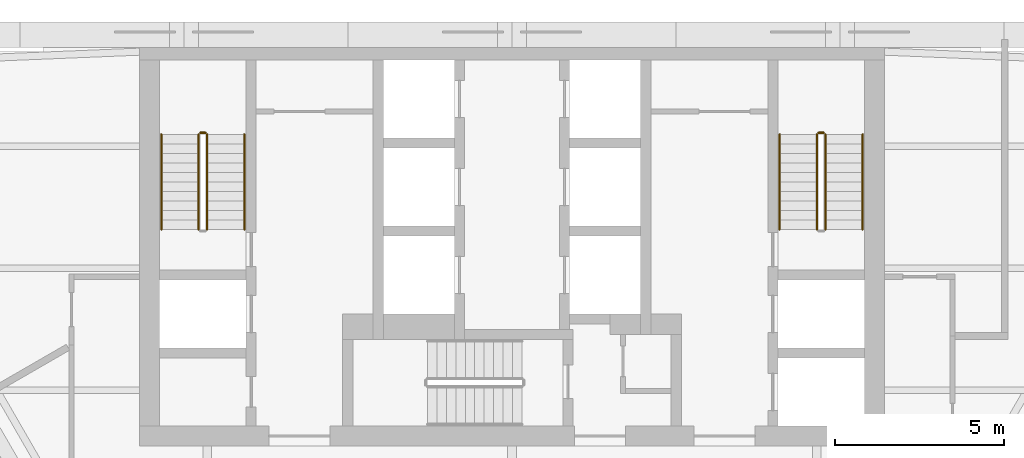
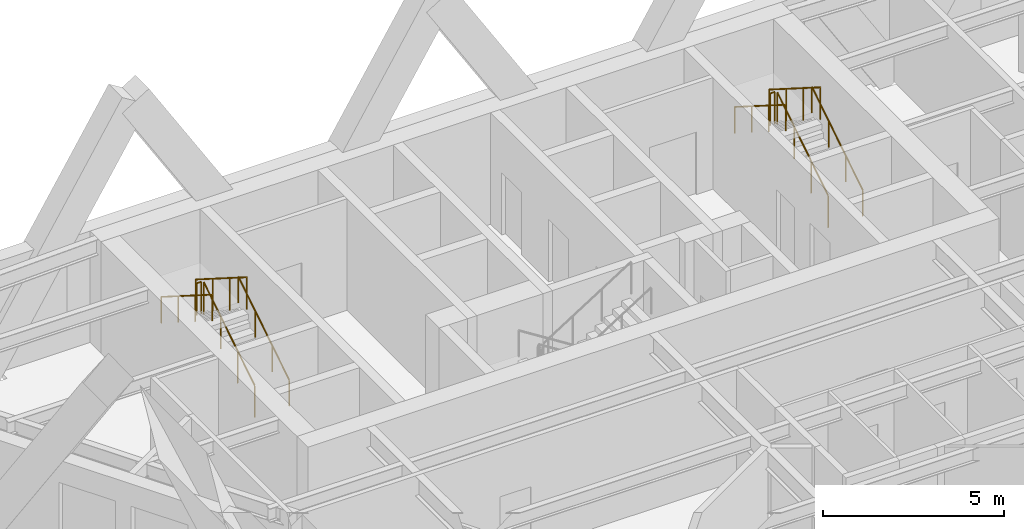
# One storey, part 9 of 9: 10 railings.
"""IFC4 building model written with IfcOpenShell, lengths in metres."""

from ifc_helpers import new_model, si_unit, direction, frame, origin, origin_2d, place, context, subcontext, project, spatial, circle, extrude, material, type_object, element, save


model = new_model("IFC4")

# Units and contexts
model_context = context("Model", 3, precision=1e-05, world=origin(), true_north=direction((0.0, 1.0)))
body_context = subcontext(model_context, "Body", "Model", "MODEL_VIEW")
ifc_project = project(units=[si_unit("LENGTHUNIT", "METRE"), si_unit("AREAUNIT", "SQUARE_METRE"), si_unit("VOLUMEUNIT", "CUBIC_METRE"), si_unit("PLANEANGLEUNIT", "RADIAN"), si_unit("MASSUNIT", "GRAM", prefix="KILO")], contexts=[model_context])

# Site, building, storey
site_placement = place(None, origin())
site = spatial("IfcSite", under=ifc_project, at=site_placement, CompositionType="ELEMENT")
building_placement = place(site_placement, origin())
building = spatial("IfcBuilding", under=site, at=building_placement, Name="Aloe Facet Convention Tower", CompositionType="ELEMENT")
storey_placement = place(building_placement, frame((0.0, 0.0, 203.60009765625)))
storey = spatial("IfcBuildingStorey", under=building, at=storey_placement, Name="L51", CompositionType="ELEMENT", Elevation=203.60009765625)

# Railings
ifc_material_1 = material(Name="Steel S355 balustrade", Category="steel")
railing_type_1 = type_object("IfcRailingType", Name="CR-RL-GUARD", PredefinedType="GUARDRAIL", material=ifc_material_1)
railing_1_placement = place(storey_placement, frame((71.0, 128.949951171875, 0.17724609375)))
element("IfcRailing", 1, at=railing_1_placement, inside=storey, type_object=railing_type_1, Name="L51 ST1 stair guard 1", PredefinedType="GUARDRAIL", context=body_context, shape_type="SweptSolid", body=[
    extrude(circle(Radius=0.02392578125, at=origin_2d()), frame((0.0, 0.0, 1.076171875), z_axis=(0.0, 0.844908973607, 0.534910110503), x_axis=(-1.0, 0.0, 0.0)), (0.0, 0.0, 1.0), 3.31396484375),
    extrude(circle(Radius=0.02099609375, at=origin_2d()), origin(), (0.0, 0.0, 1.0), 1.052001953125),
    extrude(circle(Radius=0.02099609375, at=origin_2d()), frame((0.0, 0.933349609375, 0.5908203125)), (0.0, 0.0, 1.0), 1.052001953125),
    extrude(circle(Radius=0.02099609375, at=origin_2d()), frame((0.0, 1.86669921875, 1.181884765625)), (0.0, 0.0, 1.0), 1.052001953125),
    extrude(circle(Radius=0.02099609375, at=origin_2d()), frame((0.0, 2.800048828125, 1.772705078125)), (0.0, 0.0, 1.0), 1.052001953125),
])
railing_2_placement = place(storey_placement, frame((70.949951171875, 131.800048828125, 1.949951171875)))
element("IfcRailing", 2, at=railing_2_placement, inside=storey, type_object=railing_type_1, Name="L51 ST1 stair guard 2", PredefinedType="GUARDRAIL", context=body_context, shape_type="SweptSolid", body=[
    extrude(circle(Radius=0.02392578125, at=origin_2d()), frame((0.0, 0.0, 1.076171875), z_axis=(-1.0, 0.0, 0.0), x_axis=(0.0, -1.0, 0.0)), (0.0, 0.0, 1.0), 0.14990234375),
    extrude(circle(Radius=0.02099609375, at=origin_2d()), origin(), (0.0, 0.0, 1.0), 1.052001953125),
    extrude(circle(Radius=0.02099609375, at=origin_2d()), frame((-0.14990234375, 0.0, 0.0)), (0.0, 0.0, 1.0), 1.052001953125),
])
railing_3_placement = place(storey_placement, frame((70.75, 131.75, 2.127197265625)))
element("IfcRailing", 3, at=railing_3_placement, inside=storey, type_object=railing_type_1, Name="L51 ST1 stair guard 3", PredefinedType="GUARDRAIL", context=body_context, shape_type="SweptSolid", body=[
    extrude(circle(Radius=0.02392578125, at=origin_2d()), frame((0.0, 0.0, 1.076171875), z_axis=(0.0, -0.844908973607, 0.534910110503), x_axis=(1.0, 0.0, 0.0)), (0.0, 0.0, 1.0), 3.31396484375),
    extrude(circle(Radius=0.02099609375, at=origin_2d()), origin(), (0.0, 0.0, 1.0), 1.052001953125),
    extrude(circle(Radius=0.02099609375, at=origin_2d()), frame((0.0, -0.933349609375, 0.5908203125)), (0.0, 0.0, 1.0), 1.052001953125),
    extrude(circle(Radius=0.02099609375, at=origin_2d()), frame((0.0, -1.86669921875, 1.181884765625)), (0.0, 0.0, 1.0), 1.052001953125),
    extrude(circle(Radius=0.02099609375, at=origin_2d()), frame((0.0, -2.800048828125, 1.772705078125)), (0.0, 0.0, 1.0), 1.052001953125),
])
railing_4_placement = place(storey_placement, frame((89.25, 128.949951171875, 0.17724609375)))
element("IfcRailing", 4, at=railing_4_placement, inside=storey, type_object=railing_type_1, Name="L51 ST2 stair guard 1", PredefinedType="GUARDRAIL", context=body_context, shape_type="SweptSolid", body=[
    extrude(circle(Radius=0.02392578125, at=origin_2d()), frame((0.0, 0.0, 1.076171875), z_axis=(0.0, 0.844908973607, 0.534910110503), x_axis=(-1.0, 0.0, 0.0)), (0.0, 0.0, 1.0), 3.31396484375),
    extrude(circle(Radius=0.02099609375, at=origin_2d()), origin(), (0.0, 0.0, 1.0), 1.052001953125),
    extrude(circle(Radius=0.02099609375, at=origin_2d()), frame((0.0, 0.933349609375, 0.5908203125)), (0.0, 0.0, 1.0), 1.052001953125),
    extrude(circle(Radius=0.02099609375, at=origin_2d()), frame((0.0, 1.86669921875, 1.181884765625)), (0.0, 0.0, 1.0), 1.052001953125),
    extrude(circle(Radius=0.02099609375, at=origin_2d()), frame((0.0, 2.800048828125, 1.772705078125)), (0.0, 0.0, 1.0), 1.052001953125),
])
railing_5_placement = place(storey_placement, frame((89.199951171875, 131.800048828125, 1.949951171875)))
element("IfcRailing", 5, at=railing_5_placement, inside=storey, type_object=railing_type_1, Name="L51 ST2 stair guard 2", PredefinedType="GUARDRAIL", context=body_context, shape_type="SweptSolid", body=[
    extrude(circle(Radius=0.02392578125, at=origin_2d()), frame((0.0, 0.0, 1.076171875), z_axis=(-1.0, 0.0, 0.0), x_axis=(0.0, -1.0, 0.0)), (0.0, 0.0, 1.0), 0.14990234375),
    extrude(circle(Radius=0.02099609375, at=origin_2d()), origin(), (0.0, 0.0, 1.0), 1.052001953125),
    extrude(circle(Radius=0.02099609375, at=origin_2d()), frame((-0.14990234375, 0.0, 0.0)), (0.0, 0.0, 1.0), 1.052001953125),
])
railing_6_placement = place(storey_placement, frame((89.0, 131.75, 2.127197265625)))
element("IfcRailing", 6, at=railing_6_placement, inside=storey, type_object=railing_type_1, Name="L51 ST2 stair guard 3", PredefinedType="GUARDRAIL", context=body_context, shape_type="SweptSolid", body=[
    extrude(circle(Radius=0.02392578125, at=origin_2d()), frame((0.0, 0.0, 1.076171875), z_axis=(0.0, -0.844908973607, 0.534910110503), x_axis=(1.0, 0.0, 0.0)), (0.0, 0.0, 1.0), 3.31396484375),
    extrude(circle(Radius=0.02099609375, at=origin_2d()), origin(), (0.0, 0.0, 1.0), 1.052001953125),
    extrude(circle(Radius=0.02099609375, at=origin_2d()), frame((0.0, -0.933349609375, 0.5908203125)), (0.0, 0.0, 1.0), 1.052001953125),
    extrude(circle(Radius=0.02099609375, at=origin_2d()), frame((0.0, -1.86669921875, 1.181884765625)), (0.0, 0.0, 1.0), 1.052001953125),
    extrude(circle(Radius=0.02099609375, at=origin_2d()), frame((0.0, -2.800048828125, 1.772705078125)), (0.0, 0.0, 1.0), 1.052001953125),
])
ifc_material_2 = material(Name="Steel S355 handrail", Category="steel")
railing_type_2 = type_object("IfcRailingType", Name="CR-RL-HAND", PredefinedType="HANDRAIL", material=ifc_material_2)
railing_7_placement = place(storey_placement, frame((72.10009765625, 128.949951171875, 0.17724609375)))
element("IfcRailing", 7, at=railing_7_placement, inside=storey, type_object=railing_type_2, Name="L51 ST1 stair handrail 1", PredefinedType="HANDRAIL", context=body_context, shape_type="SweptSolid", body=[
    extrude(circle(Radius=0.02392578125, at=origin_2d()), frame((0.0, 0.0, 0.8759765625), z_axis=(0.0, 0.844908973607, 0.534910110503), x_axis=(-1.0, 0.0, 0.0)), (0.0, 0.0, 1.0), 3.31396484375),
    extrude(circle(Radius=0.02099609375, at=origin_2d()), origin(), (0.0, 0.0, 1.0), 0.851806640625),
    extrude(circle(Radius=0.02099609375, at=origin_2d()), frame((0.0, 0.933349609375, 0.5908203125)), (0.0, 0.0, 1.0), 0.851806640625),
    extrude(circle(Radius=0.02099609375, at=origin_2d()), frame((0.0, 1.86669921875, 1.181884765625)), (0.0, 0.0, 1.0), 0.851806640625),
    extrude(circle(Radius=0.02099609375, at=origin_2d()), frame((0.0, 2.800048828125, 1.772705078125)), (0.0, 0.0, 1.0), 0.851806640625),
])
railing_8_placement = place(storey_placement, frame((69.64990234375, 131.75, 2.127197265625)))
element("IfcRailing", 8, at=railing_8_placement, inside=storey, type_object=railing_type_2, Name="L51 ST1 stair handrail 2", PredefinedType="HANDRAIL", context=body_context, shape_type="SweptSolid", body=[
    extrude(circle(Radius=0.02392578125, at=origin_2d()), frame((0.0, 0.0, 0.8759765625), z_axis=(0.0, -0.844908973607, 0.534910110503), x_axis=(1.0, 0.0, 0.0)), (0.0, 0.0, 1.0), 3.31396484375),
    extrude(circle(Radius=0.02099609375, at=origin_2d()), origin(), (0.0, 0.0, 1.0), 0.851806640625),
    extrude(circle(Radius=0.02099609375, at=origin_2d()), frame((0.0, -0.933349609375, 0.5908203125)), (0.0, 0.0, 1.0), 0.851806640625),
    extrude(circle(Radius=0.02099609375, at=origin_2d()), frame((0.0, -1.86669921875, 1.181884765625)), (0.0, 0.0, 1.0), 0.851806640625),
    extrude(circle(Radius=0.02099609375, at=origin_2d()), frame((0.0, -2.800048828125, 1.772705078125)), (0.0, 0.0, 1.0), 0.851806640625),
])
railing_9_placement = place(storey_placement, frame((90.35009765625, 128.949951171875, 0.17724609375)))
element("IfcRailing", 9, at=railing_9_placement, inside=storey, type_object=railing_type_2, Name="L51 ST2 stair handrail 1", PredefinedType="HANDRAIL", context=body_context, shape_type="SweptSolid", body=[
    extrude(circle(Radius=0.02392578125, at=origin_2d()), frame((0.0, 0.0, 0.8759765625), z_axis=(0.0, 0.844908973607, 0.534910110503), x_axis=(-1.0, 0.0, 0.0)), (0.0, 0.0, 1.0), 3.31396484375),
    extrude(circle(Radius=0.02099609375, at=origin_2d()), origin(), (0.0, 0.0, 1.0), 0.851806640625),
    extrude(circle(Radius=0.02099609375, at=origin_2d()), frame((0.0, 0.933349609375, 0.5908203125)), (0.0, 0.0, 1.0), 0.851806640625),
    extrude(circle(Radius=0.02099609375, at=origin_2d()), frame((0.0, 1.86669921875, 1.181884765625)), (0.0, 0.0, 1.0), 0.851806640625),
    extrude(circle(Radius=0.02099609375, at=origin_2d()), frame((0.0, 2.800048828125, 1.772705078125)), (0.0, 0.0, 1.0), 0.851806640625),
])
railing_10_placement = place(storey_placement, frame((87.89990234375, 131.75, 2.127197265625)))
element("IfcRailing", 10, at=railing_10_placement, inside=storey, type_object=railing_type_2, Name="L51 ST2 stair handrail 2", PredefinedType="HANDRAIL", context=body_context, shape_type="SweptSolid", body=[
    extrude(circle(Radius=0.02392578125, at=origin_2d()), frame((0.0, 0.0, 0.8759765625), z_axis=(0.0, -0.844908973607, 0.534910110503), x_axis=(1.0, 0.0, 0.0)), (0.0, 0.0, 1.0), 3.31396484375),
    extrude(circle(Radius=0.02099609375, at=origin_2d()), origin(), (0.0, 0.0, 1.0), 0.851806640625),
    extrude(circle(Radius=0.02099609375, at=origin_2d()), frame((0.0, -0.933349609375, 0.5908203125)), (0.0, 0.0, 1.0), 0.851806640625),
    extrude(circle(Radius=0.02099609375, at=origin_2d()), frame((0.0, -1.86669921875, 1.181884765625)), (0.0, 0.0, 1.0), 0.851806640625),
    extrude(circle(Radius=0.02099609375, at=origin_2d()), frame((0.0, -2.800048828125, 1.772705078125)), (0.0, 0.0, 1.0), 0.851806640625),
])

save(model, "model.ifc")
